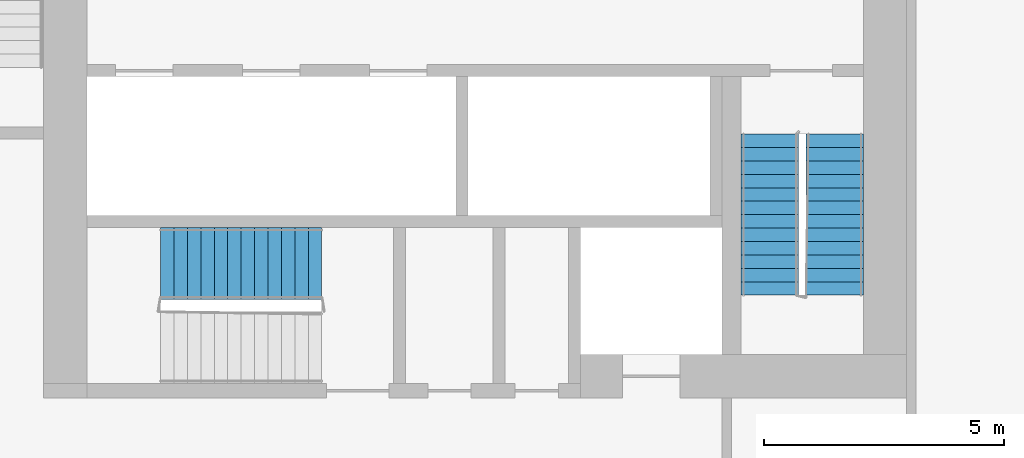
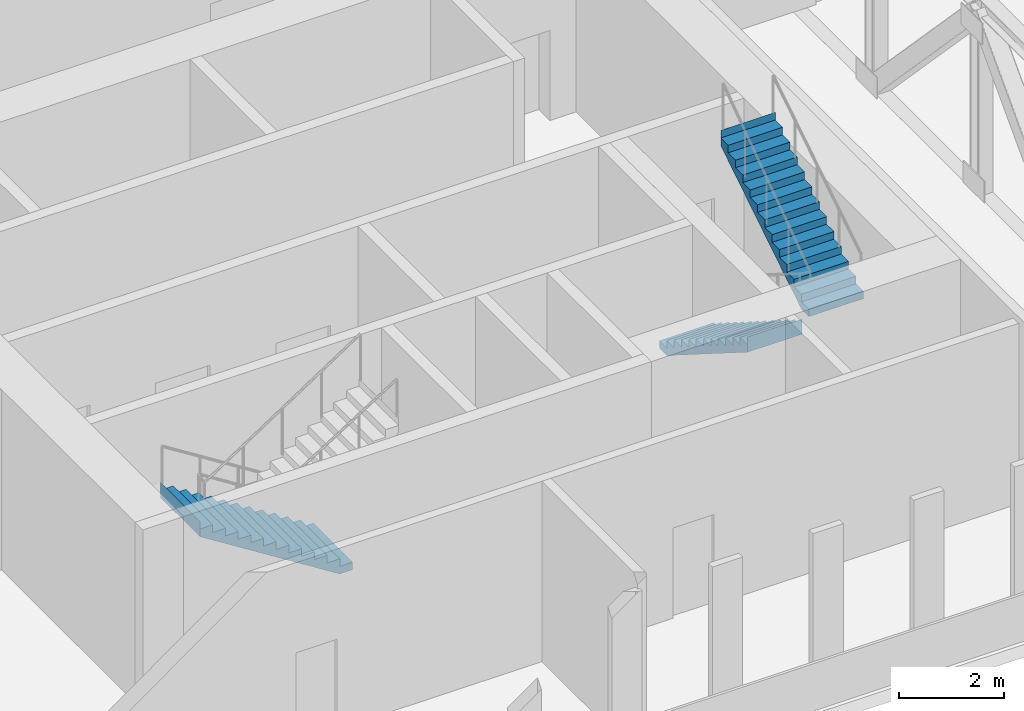
# One storey, part 18 of 22: 3 stair flights, 2 elements without a shape of their own.
"""IFC4 building model written with IfcOpenShell, lengths in metres."""

from ifc_helpers import new_model, si_unit, direction, frame, origin, place, context, subcontext, project, spatial, faceted_brep, material, type_object, element, aggregate, save


model = new_model("IFC4")

# Units and contexts
model_context = context("Model", 3, precision=1e-05, world=origin(), true_north=direction((0.0, 1.0)))
body_context = subcontext(model_context, "Body", "Model", "MODEL_VIEW")
ifc_project = project(units=[si_unit("LENGTHUNIT", "METRE"), si_unit("AREAUNIT", "SQUARE_METRE"), si_unit("VOLUMEUNIT", "CUBIC_METRE"), si_unit("PLANEANGLEUNIT", "RADIAN"), si_unit("MASSUNIT", "GRAM", prefix="KILO")], contexts=[model_context])

# Site, building, storey
site_placement = place(None, origin())
site = spatial("IfcSite", under=ifc_project, at=site_placement, CompositionType="ELEMENT")
building_placement = place(site_placement, origin())
building = spatial("IfcBuilding", under=site, at=building_placement, Name="Kajstack Hotel Tower", CompositionType="ELEMENT")
storey_placement = place(building_placement, frame((0.0, 0.0, 99.60009765625)))
storey = spatial("IfcBuildingStorey", under=building, at=storey_placement, Name="L21", CompositionType="ELEMENT", Elevation=99.60009765625)

# Stair, stair flights
ifc_material = material(Name="Concrete C40/50", Category="concrete")
stair_type_1 = type_object("IfcStairType", Name="Exit stair 1200", PredefinedType="HALF_TURN_STAIR", material=ifc_material)
stair_1_placement = place(storey_placement, origin())
stair_1 = element("IfcStair", 1, at=stair_1_placement, inside=storey, type_object=stair_type_1, Name="L21 stair W2", PredefinedType="HALF_TURN_STAIR")
stair_flight_type_1 = type_object("IfcStairFlightType", Name="Exit stair flight 1200", PredefinedType="STRAIGHT", material=ifc_material)
stair_flight_1_placement = place(storey_placement, frame((-16.35009765625, -10.0, 0.0), z_axis=(0.0, 0.0, 1.0), x_axis=(0.0, -1.0, 0.0)))
stair_flight_1 = element("IfcStairFlight", 2, at=stair_flight_1_placement, type_object=stair_flight_type_1, Name="W2 flight 1", NumberOfRisers=13, NumberOfTreads=12, PredefinedType="STRAIGHT", RiserHeight=0.176923077, TreadLength=0.28, context=body_context, shape_type="Brep", body=[
    faceted_brep([(0.281005859375, -0.60009765625, 0.0), (3.360595703125, -0.60009765625, 1.94580078125), (3.360595703125, -0.60009765625, 2.300048828125), (3.360107421875, -0.60009765625, 2.300048828125), (3.360107421875, -0.60009765625, 2.123046875), (3.080078125, -0.60009765625, 2.123046875), (3.080078125, -0.60009765625, 1.946044921875), (2.800048828125, -0.60009765625, 1.946044921875), (2.800048828125, -0.60009765625, 1.769287109375), (2.52001953125, -0.60009765625, 1.769287109375), (2.52001953125, -0.60009765625, 1.59228515625), (2.239990234375, -0.60009765625, 1.59228515625), (2.239990234375, -0.60009765625, 1.415283203125), (1.9599609375, -0.60009765625, 1.415283203125), (1.9599609375, -0.60009765625, 1.238525390625), (1.679931640625, -0.60009765625, 1.238525390625), (1.679931640625, -0.60009765625, 1.0615234375), (1.39990234375, -0.60009765625, 1.0615234375), (1.39990234375, -0.60009765625, 0.884521484375), (1.1201171875, -0.60009765625, 0.884521484375), (1.1201171875, -0.60009765625, 0.707763671875), (0.840087890625, -0.60009765625, 0.707763671875), (0.840087890625, -0.60009765625, 0.53076171875), (0.56005859375, -0.60009765625, 0.53076171875), (0.56005859375, -0.60009765625, 0.353759765625), (0.280029296875, -0.60009765625, 0.353759765625), (0.280029296875, -0.60009765625, 0.177001953125), (-0.00048828125, -0.60009765625, 0.177001953125), (-0.00048828125, -0.60009765625, 0.0), (-0.00048828125, 0.60009765625, 0.0), (-0.00048828125, 0.60009765625, 0.177001953125), (0.280029296875, 0.60009765625, 0.177001953125), (0.280029296875, 0.60009765625, 0.353759765625), (0.56005859375, 0.60009765625, 0.353759765625), (0.56005859375, 0.60009765625, 0.53076171875), (0.840087890625, 0.60009765625, 0.53076171875), (0.840087890625, 0.60009765625, 0.707763671875), (1.1201171875, 0.60009765625, 0.707763671875), (1.1201171875, 0.60009765625, 0.884521484375), (1.39990234375, 0.60009765625, 0.884521484375), (1.39990234375, 0.60009765625, 1.0615234375), (1.679931640625, 0.60009765625, 1.0615234375), (1.679931640625, 0.60009765625, 1.238525390625), (1.9599609375, 0.60009765625, 1.238525390625), (1.9599609375, 0.60009765625, 1.415283203125), (2.239990234375, 0.60009765625, 1.415283203125), (2.239990234375, 0.60009765625, 1.59228515625), (2.52001953125, 0.60009765625, 1.59228515625), (2.52001953125, 0.60009765625, 1.769287109375), (2.800048828125, 0.60009765625, 1.769287109375), (2.800048828125, 0.60009765625, 1.946044921875), (3.080078125, 0.60009765625, 1.946044921875), (3.080078125, 0.60009765625, 2.123046875), (3.360107421875, 0.60009765625, 2.123046875), (3.360107421875, 0.60009765625, 2.300048828125), (3.360595703125, 0.60009765625, 2.300048828125), (3.360595703125, 0.60009765625, 1.94580078125), (0.281005859375, 0.60009765625, 0.0), (-0.00048828125, -0.300048828125, 0.177001953125), (-0.00048828125, 0.0, 0.177001953125), (-0.00048828125, 0.300048828125, 0.177001953125), (-0.00048828125, 0.300048828125, 0.0), (-0.00048828125, 0.0, 0.0), (-0.00048828125, -0.300048828125, 0.0), (0.280029296875, -0.300048828125, 0.177001953125), (0.280029296875, 0.0, 0.177001953125), (0.280029296875, 0.300048828125, 0.177001953125), (0.280029296875, -0.300048828125, 0.353759765625), (0.280029296875, 0.0, 0.353759765625), (0.280029296875, 0.300048828125, 0.353759765625), (0.56005859375, -0.300048828125, 0.353759765625), (0.56005859375, 0.0, 0.353759765625), (0.56005859375, 0.300048828125, 0.353759765625), (0.56005859375, -0.300048828125, 0.53076171875), (0.56005859375, 0.0, 0.53076171875), (0.56005859375, 0.300048828125, 0.53076171875), (0.840087890625, -0.300048828125, 0.53076171875), (0.840087890625, 0.0, 0.53076171875), (0.840087890625, 0.300048828125, 0.53076171875), (0.840087890625, -0.300048828125, 0.707763671875), (0.840087890625, 0.0, 0.707763671875), (0.840087890625, 0.300048828125, 0.707763671875), (1.1201171875, -0.300048828125, 0.707763671875), (1.1201171875, 0.0, 0.707763671875), (1.1201171875, 0.300048828125, 0.707763671875), (1.1201171875, -0.300048828125, 0.884521484375), (1.1201171875, 0.0, 0.884521484375), (1.1201171875, 0.300048828125, 0.884521484375), (1.39990234375, -0.300048828125, 0.884521484375), (1.39990234375, 0.0, 0.884521484375), (1.39990234375, 0.300048828125, 0.884521484375), (1.39990234375, -0.300048828125, 1.0615234375), (1.39990234375, 0.0, 1.0615234375), (1.39990234375, 0.300048828125, 1.0615234375), (1.679931640625, -0.300048828125, 1.0615234375), (1.679931640625, 0.0, 1.0615234375), (1.679931640625, 0.300048828125, 1.0615234375), (1.679931640625, -0.300048828125, 1.238525390625), (1.679931640625, 0.0, 1.238525390625), (1.679931640625, 0.300048828125, 1.238525390625), (1.9599609375, -0.300048828125, 1.238525390625), (1.9599609375, 0.0, 1.238525390625), (1.9599609375, 0.300048828125, 1.238525390625), (1.9599609375, -0.300048828125, 1.415283203125), (1.9599609375, 0.0, 1.415283203125), (1.9599609375, 0.300048828125, 1.415283203125), (2.239990234375, -0.300048828125, 1.415283203125), (2.239990234375, 0.0, 1.415283203125), (2.239990234375, 0.300048828125, 1.415283203125), (2.239990234375, -0.300048828125, 1.59228515625), (2.239990234375, 0.0, 1.59228515625), (2.239990234375, 0.300048828125, 1.59228515625), (2.52001953125, -0.300048828125, 1.59228515625), (2.52001953125, 0.0, 1.59228515625), (2.52001953125, 0.300048828125, 1.59228515625), (2.52001953125, -0.300048828125, 1.769287109375), (2.52001953125, 0.0, 1.769287109375), (2.52001953125, 0.300048828125, 1.769287109375), (2.800048828125, -0.300048828125, 1.769287109375), (2.800048828125, 0.0, 1.769287109375), (2.800048828125, 0.300048828125, 1.769287109375), (2.800048828125, -0.300048828125, 1.946044921875), (2.800048828125, 0.0, 1.946044921875), (2.800048828125, 0.300048828125, 1.946044921875), (3.080078125, -0.300048828125, 1.946044921875), (3.080078125, 0.0, 1.946044921875), (3.080078125, 0.300048828125, 1.946044921875), (3.080078125, -0.300048828125, 2.123046875), (3.080078125, 0.0, 2.123046875), (3.080078125, 0.300048828125, 2.123046875), (3.360107421875, -0.300048828125, 2.123046875), (3.360107421875, 0.0, 2.123046875), (3.360107421875, 0.300048828125, 2.123046875), (3.360107421875, -0.300048828125, 2.300048828125), (3.360107421875, 0.0, 2.300048828125), (3.360107421875, 0.300048828125, 2.300048828125), (3.360595703125, -0.300048828125, 2.300048828125), (3.360595703125, 0.0, 2.300048828125), (3.360595703125, 0.300048828125, 2.300048828125), (3.360595703125, -0.300048828125, 1.94580078125), (3.360595703125, 0.0, 1.94580078125), (3.360595703125, 0.300048828125, 1.94580078125), (0.281005859375, -0.300048828125, 0.0), (0.281005859375, 0.0, 0.0), (0.281005859375, 0.300048828125, 0.0)], [[[0, 1, 2, 3, 4, 5, 6, 7, 8, 9, 10, 11, 12, 13, 14, 15, 16, 17, 18, 19, 20, 21, 22, 23, 24, 25, 26, 27, 28]], [[29, 30, 31, 32, 33, 34, 35, 36, 37, 38, 39, 40, 41, 42, 43, 44, 45, 46, 47, 48, 49, 50, 51, 52, 53, 54, 55, 56, 57]], [[27, 58, 59, 60, 30, 29, 61, 62, 63, 28]], [[26, 64, 65, 66, 31, 30, 60, 59, 58, 27]], [[25, 67, 68, 69, 32, 31, 66, 65, 64, 26]], [[24, 70, 71, 72, 33, 32, 69, 68, 67, 25]], [[23, 73, 74, 75, 34, 33, 72, 71, 70, 24]], [[22, 76, 77, 78, 35, 34, 75, 74, 73, 23]], [[21, 79, 80, 81, 36, 35, 78, 77, 76, 22]], [[20, 82, 83, 84, 37, 36, 81, 80, 79, 21]], [[19, 85, 86, 87, 38, 37, 84, 83, 82, 20]], [[18, 88, 89, 90, 39, 38, 87, 86, 85, 19]], [[17, 91, 92, 93, 40, 39, 90, 89, 88, 18]], [[16, 94, 95, 96, 41, 40, 93, 92, 91, 17]], [[15, 97, 98, 99, 42, 41, 96, 95, 94, 16]], [[14, 100, 101, 102, 43, 42, 99, 98, 97, 15]], [[13, 103, 104, 105, 44, 43, 102, 101, 100, 14]], [[12, 106, 107, 108, 45, 44, 105, 104, 103, 13]], [[11, 109, 110, 111, 46, 45, 108, 107, 106, 12]], [[10, 112, 113, 114, 47, 46, 111, 110, 109, 11]], [[9, 115, 116, 117, 48, 47, 114, 113, 112, 10]], [[8, 118, 119, 120, 49, 48, 117, 116, 115, 9]], [[7, 121, 122, 123, 50, 49, 120, 119, 118, 8]], [[6, 124, 125, 126, 51, 50, 123, 122, 121, 7]], [[5, 127, 128, 129, 52, 51, 126, 125, 124, 6]], [[4, 130, 131, 132, 53, 52, 129, 128, 127, 5]], [[3, 133, 134, 135, 54, 53, 132, 131, 130, 4]], [[2, 136, 137, 138, 55, 54, 135, 134, 133, 3]], [[1, 139, 140, 141, 56, 55, 138, 137, 136, 2]], [[0, 142, 143, 144, 57, 56, 141, 140, 139, 1]], [[28, 63, 62, 61, 29, 57, 144, 143, 142, 0]]]),
])
stair_flight_2_placement = place(storey_placement, frame((-15.0, -13.360107421875, 2.2998046875), z_axis=(0.0, 0.0, 1.0), x_axis=(0.0, 1.0, 0.0)))
stair_flight_2 = element("IfcStairFlight", 3, at=stair_flight_2_placement, type_object=stair_flight_type_1, Name="W2 flight 2", NumberOfRisers=13, NumberOfTreads=12, PredefinedType="STRAIGHT", RiserHeight=0.176923077, TreadLength=0.28, context=body_context, shape_type="Brep", body=[
    faceted_brep([(0.281005859375, -0.60009765625, 0.0), (3.360595703125, -0.60009765625, 1.94580078125), (3.360595703125, -0.60009765625, 2.300048828125), (3.360107421875, -0.60009765625, 2.300048828125), (3.360107421875, -0.60009765625, 2.123046875), (3.080078125, -0.60009765625, 2.123046875), (3.080078125, -0.60009765625, 1.946044921875), (2.800048828125, -0.60009765625, 1.946044921875), (2.800048828125, -0.60009765625, 1.769287109375), (2.52001953125, -0.60009765625, 1.769287109375), (2.52001953125, -0.60009765625, 1.59228515625), (2.239990234375, -0.60009765625, 1.59228515625), (2.239990234375, -0.60009765625, 1.415283203125), (1.9599609375, -0.60009765625, 1.415283203125), (1.9599609375, -0.60009765625, 1.238525390625), (1.679931640625, -0.60009765625, 1.238525390625), (1.679931640625, -0.60009765625, 1.0615234375), (1.39990234375, -0.60009765625, 1.0615234375), (1.39990234375, -0.60009765625, 0.884521484375), (1.1201171875, -0.60009765625, 0.884521484375), (1.1201171875, -0.60009765625, 0.707763671875), (0.840087890625, -0.60009765625, 0.707763671875), (0.840087890625, -0.60009765625, 0.53076171875), (0.56005859375, -0.60009765625, 0.53076171875), (0.56005859375, -0.60009765625, 0.353759765625), (0.280029296875, -0.60009765625, 0.353759765625), (0.280029296875, -0.60009765625, 0.177001953125), (-0.00048828125, -0.60009765625, 0.177001953125), (-0.00048828125, -0.60009765625, 0.0), (-0.00048828125, 0.60009765625, 0.0), (-0.00048828125, 0.60009765625, 0.177001953125), (0.280029296875, 0.60009765625, 0.177001953125), (0.280029296875, 0.60009765625, 0.353759765625), (0.56005859375, 0.60009765625, 0.353759765625), (0.56005859375, 0.60009765625, 0.53076171875), (0.840087890625, 0.60009765625, 0.53076171875), (0.840087890625, 0.60009765625, 0.707763671875), (1.1201171875, 0.60009765625, 0.707763671875), (1.1201171875, 0.60009765625, 0.884521484375), (1.39990234375, 0.60009765625, 0.884521484375), (1.39990234375, 0.60009765625, 1.0615234375), (1.679931640625, 0.60009765625, 1.0615234375), (1.679931640625, 0.60009765625, 1.238525390625), (1.9599609375, 0.60009765625, 1.238525390625), (1.9599609375, 0.60009765625, 1.415283203125), (2.239990234375, 0.60009765625, 1.415283203125), (2.239990234375, 0.60009765625, 1.59228515625), (2.52001953125, 0.60009765625, 1.59228515625), (2.52001953125, 0.60009765625, 1.769287109375), (2.800048828125, 0.60009765625, 1.769287109375), (2.800048828125, 0.60009765625, 1.946044921875), (3.080078125, 0.60009765625, 1.946044921875), (3.080078125, 0.60009765625, 2.123046875), (3.360107421875, 0.60009765625, 2.123046875), (3.360107421875, 0.60009765625, 2.300048828125), (3.360595703125, 0.60009765625, 2.300048828125), (3.360595703125, 0.60009765625, 1.94580078125), (0.281005859375, 0.60009765625, 0.0), (-0.00048828125, -0.300048828125, 0.177001953125), (-0.00048828125, 0.0, 0.177001953125), (-0.00048828125, 0.300048828125, 0.177001953125), (-0.00048828125, 0.300048828125, 0.0), (-0.00048828125, 0.0, 0.0), (-0.00048828125, -0.300048828125, 0.0), (0.280029296875, -0.300048828125, 0.177001953125), (0.280029296875, 0.0, 0.177001953125), (0.280029296875, 0.300048828125, 0.177001953125), (0.280029296875, -0.300048828125, 0.353759765625), (0.280029296875, 0.0, 0.353759765625), (0.280029296875, 0.300048828125, 0.353759765625), (0.56005859375, -0.300048828125, 0.353759765625), (0.56005859375, 0.0, 0.353759765625), (0.56005859375, 0.300048828125, 0.353759765625), (0.56005859375, -0.300048828125, 0.53076171875), (0.56005859375, 0.0, 0.53076171875), (0.56005859375, 0.300048828125, 0.53076171875), (0.840087890625, -0.300048828125, 0.53076171875), (0.840087890625, 0.0, 0.53076171875), (0.840087890625, 0.300048828125, 0.53076171875), (0.840087890625, -0.300048828125, 0.707763671875), (0.840087890625, 0.0, 0.707763671875), (0.840087890625, 0.300048828125, 0.707763671875), (1.1201171875, -0.300048828125, 0.707763671875), (1.1201171875, 0.0, 0.707763671875), (1.1201171875, 0.300048828125, 0.707763671875), (1.1201171875, -0.300048828125, 0.884521484375), (1.1201171875, 0.0, 0.884521484375), (1.1201171875, 0.300048828125, 0.884521484375), (1.39990234375, -0.300048828125, 0.884521484375), (1.39990234375, 0.0, 0.884521484375), (1.39990234375, 0.300048828125, 0.884521484375), (1.39990234375, -0.300048828125, 1.0615234375), (1.39990234375, 0.0, 1.0615234375), (1.39990234375, 0.300048828125, 1.0615234375), (1.679931640625, -0.300048828125, 1.0615234375), (1.679931640625, 0.0, 1.0615234375), (1.679931640625, 0.300048828125, 1.0615234375), (1.679931640625, -0.300048828125, 1.238525390625), (1.679931640625, 0.0, 1.238525390625), (1.679931640625, 0.300048828125, 1.238525390625), (1.9599609375, -0.300048828125, 1.238525390625), (1.9599609375, 0.0, 1.238525390625), (1.9599609375, 0.300048828125, 1.238525390625), (1.9599609375, -0.300048828125, 1.415283203125), (1.9599609375, 0.0, 1.415283203125), (1.9599609375, 0.300048828125, 1.415283203125), (2.239990234375, -0.300048828125, 1.415283203125), (2.239990234375, 0.0, 1.415283203125), (2.239990234375, 0.300048828125, 1.415283203125), (2.239990234375, -0.300048828125, 1.59228515625), (2.239990234375, 0.0, 1.59228515625), (2.239990234375, 0.300048828125, 1.59228515625), (2.52001953125, -0.300048828125, 1.59228515625), (2.52001953125, 0.0, 1.59228515625), (2.52001953125, 0.300048828125, 1.59228515625), (2.52001953125, -0.300048828125, 1.769287109375), (2.52001953125, 0.0, 1.769287109375), (2.52001953125, 0.300048828125, 1.769287109375), (2.800048828125, -0.300048828125, 1.769287109375), (2.800048828125, 0.0, 1.769287109375), (2.800048828125, 0.300048828125, 1.769287109375), (2.800048828125, -0.300048828125, 1.946044921875), (2.800048828125, 0.0, 1.946044921875), (2.800048828125, 0.300048828125, 1.946044921875), (3.080078125, -0.300048828125, 1.946044921875), (3.080078125, 0.0, 1.946044921875), (3.080078125, 0.300048828125, 1.946044921875), (3.080078125, -0.300048828125, 2.123046875), (3.080078125, 0.0, 2.123046875), (3.080078125, 0.300048828125, 2.123046875), (3.360107421875, -0.300048828125, 2.123046875), (3.360107421875, 0.0, 2.123046875), (3.360107421875, 0.300048828125, 2.123046875), (3.360107421875, -0.300048828125, 2.300048828125), (3.360107421875, 0.0, 2.300048828125), (3.360107421875, 0.300048828125, 2.300048828125), (3.360595703125, -0.300048828125, 2.300048828125), (3.360595703125, 0.0, 2.300048828125), (3.360595703125, 0.300048828125, 2.300048828125), (3.360595703125, -0.300048828125, 1.94580078125), (3.360595703125, 0.0, 1.94580078125), (3.360595703125, 0.300048828125, 1.94580078125), (0.281005859375, -0.300048828125, 0.0), (0.281005859375, 0.0, 0.0), (0.281005859375, 0.300048828125, 0.0)], [[[0, 1, 2, 3, 4, 5, 6, 7, 8, 9, 10, 11, 12, 13, 14, 15, 16, 17, 18, 19, 20, 21, 22, 23, 24, 25, 26, 27, 28]], [[29, 30, 31, 32, 33, 34, 35, 36, 37, 38, 39, 40, 41, 42, 43, 44, 45, 46, 47, 48, 49, 50, 51, 52, 53, 54, 55, 56, 57]], [[27, 58, 59, 60, 30, 29, 61, 62, 63, 28]], [[26, 64, 65, 66, 31, 30, 60, 59, 58, 27]], [[25, 67, 68, 69, 32, 31, 66, 65, 64, 26]], [[24, 70, 71, 72, 33, 32, 69, 68, 67, 25]], [[23, 73, 74, 75, 34, 33, 72, 71, 70, 24]], [[22, 76, 77, 78, 35, 34, 75, 74, 73, 23]], [[21, 79, 80, 81, 36, 35, 78, 77, 76, 22]], [[20, 82, 83, 84, 37, 36, 81, 80, 79, 21]], [[19, 85, 86, 87, 38, 37, 84, 83, 82, 20]], [[18, 88, 89, 90, 39, 38, 87, 86, 85, 19]], [[17, 91, 92, 93, 40, 39, 90, 89, 88, 18]], [[16, 94, 95, 96, 41, 40, 93, 92, 91, 17]], [[15, 97, 98, 99, 42, 41, 96, 95, 94, 16]], [[14, 100, 101, 102, 43, 42, 99, 98, 97, 15]], [[13, 103, 104, 105, 44, 43, 102, 101, 100, 14]], [[12, 106, 107, 108, 45, 44, 105, 104, 103, 13]], [[11, 109, 110, 111, 46, 45, 108, 107, 106, 12]], [[10, 112, 113, 114, 47, 46, 111, 110, 109, 11]], [[9, 115, 116, 117, 48, 47, 114, 113, 112, 10]], [[8, 118, 119, 120, 49, 48, 117, 116, 115, 9]], [[7, 121, 122, 123, 50, 49, 120, 119, 118, 8]], [[6, 124, 125, 126, 51, 50, 123, 122, 121, 7]], [[5, 127, 128, 129, 52, 51, 126, 125, 124, 6]], [[4, 130, 131, 132, 53, 52, 129, 128, 127, 5]], [[3, 133, 134, 135, 54, 53, 132, 131, 130, 4]], [[2, 136, 137, 138, 55, 54, 135, 134, 133, 3]], [[1, 139, 140, 141, 56, 55, 138, 137, 136, 2]], [[0, 142, 143, 144, 57, 56, 141, 140, 139, 1]], [[28, 63, 62, 61, 29, 57, 144, 143, 142, 0]]]),
])
aggregate(stair_1, [stair_flight_1, stair_flight_2])

# Stair, stair flight
stair_type_2 = type_object("IfcStairType", Name="Exit stair 1500", PredefinedType="HALF_TURN_STAIR", material=ifc_material)
stair_2_placement = place(storey_placement, origin())
stair_2 = element("IfcStair", 4, at=stair_2_placement, inside=storey, type_object=stair_type_2, Name="L21 stair W3", PredefinedType="HALF_TURN_STAIR")
stair_flight_type_2 = type_object("IfcStairFlightType", Name="Exit stair flight 1500", PredefinedType="STRAIGHT", material=ifc_material)
stair_flight_3_placement = place(storey_placement, frame((-25.699951171875, -12.699951171875, 0.0), z_axis=(0.0, 0.0, 1.0), x_axis=(-1.0, 0.0, 0.0)))
stair_flight_3 = element("IfcStairFlight", 5, at=stair_flight_3_placement, type_object=stair_flight_type_2, Name="W3 flight 1", NumberOfRisers=13, NumberOfTreads=12, PredefinedType="STRAIGHT", RiserHeight=0.176923077, TreadLength=0.28, context=body_context, shape_type="Brep", body=[
    faceted_brep([(0.281005859375, -0.75, 0.0), (3.360595703125, -0.75, 1.94580078125), (3.360595703125, -0.75, 2.300048828125), (3.360107421875, -0.75, 2.300048828125), (3.360107421875, -0.75, 2.123046875), (3.080078125, -0.75, 2.123046875), (3.080078125, -0.75, 1.946044921875), (2.800048828125, -0.75, 1.946044921875), (2.800048828125, -0.75, 1.769287109375), (2.52001953125, -0.75, 1.769287109375), (2.52001953125, -0.75, 1.59228515625), (2.239990234375, -0.75, 1.59228515625), (2.239990234375, -0.75, 1.415283203125), (1.9599609375, -0.75, 1.415283203125), (1.9599609375, -0.75, 1.238525390625), (1.679931640625, -0.75, 1.238525390625), (1.679931640625, -0.75, 1.0615234375), (1.39990234375, -0.75, 1.0615234375), (1.39990234375, -0.75, 0.884521484375), (1.1201171875, -0.75, 0.884521484375), (1.1201171875, -0.75, 0.707763671875), (0.840087890625, -0.75, 0.707763671875), (0.840087890625, -0.75, 0.53076171875), (0.56005859375, -0.75, 0.53076171875), (0.56005859375, -0.75, 0.353759765625), (0.280029296875, -0.75, 0.353759765625), (0.280029296875, -0.75, 0.177001953125), (-0.00048828125, -0.75, 0.177001953125), (-0.00048828125, -0.75, 0.0), (-0.00048828125, 0.75, 0.0), (-0.00048828125, 0.75, 0.177001953125), (0.280029296875, 0.75, 0.177001953125), (0.280029296875, 0.75, 0.353759765625), (0.56005859375, 0.75, 0.353759765625), (0.56005859375, 0.75, 0.53076171875), (0.840087890625, 0.75, 0.53076171875), (0.840087890625, 0.75, 0.707763671875), (1.1201171875, 0.75, 0.707763671875), (1.1201171875, 0.75, 0.884521484375), (1.39990234375, 0.75, 0.884521484375), (1.39990234375, 0.75, 1.0615234375), (1.679931640625, 0.75, 1.0615234375), (1.679931640625, 0.75, 1.238525390625), (1.9599609375, 0.75, 1.238525390625), (1.9599609375, 0.75, 1.415283203125), (2.239990234375, 0.75, 1.415283203125), (2.239990234375, 0.75, 1.59228515625), (2.52001953125, 0.75, 1.59228515625), (2.52001953125, 0.75, 1.769287109375), (2.800048828125, 0.75, 1.769287109375), (2.800048828125, 0.75, 1.946044921875), (3.080078125, 0.75, 1.946044921875), (3.080078125, 0.75, 2.123046875), (3.360107421875, 0.75, 2.123046875), (3.360107421875, 0.75, 2.300048828125), (3.360595703125, 0.75, 2.300048828125), (3.360595703125, 0.75, 1.94580078125), (0.281005859375, 0.75, 0.0), (-0.00048828125, -0.375, 0.177001953125), (-0.00048828125, 0.0, 0.177001953125), (-0.00048828125, 0.375, 0.177001953125), (-0.00048828125, 0.375, 0.0), (-0.00048828125, 0.0, 0.0), (-0.00048828125, -0.375, 0.0), (0.280029296875, -0.375, 0.177001953125), (0.280029296875, 0.0, 0.177001953125), (0.280029296875, 0.375, 0.177001953125), (0.280029296875, -0.375, 0.353759765625), (0.280029296875, 0.0, 0.353759765625), (0.280029296875, 0.375, 0.353759765625), (0.56005859375, -0.375, 0.353759765625), (0.56005859375, 0.0, 0.353759765625), (0.56005859375, 0.375, 0.353759765625), (0.56005859375, -0.375, 0.53076171875), (0.56005859375, 0.0, 0.53076171875), (0.56005859375, 0.375, 0.53076171875), (0.840087890625, -0.375, 0.53076171875), (0.840087890625, 0.0, 0.53076171875), (0.840087890625, 0.375, 0.53076171875), (0.840087890625, -0.375, 0.707763671875), (0.840087890625, 0.0, 0.707763671875), (0.840087890625, 0.375, 0.707763671875), (1.1201171875, -0.375, 0.707763671875), (1.1201171875, 0.0, 0.707763671875), (1.1201171875, 0.375, 0.707763671875), (1.1201171875, -0.375, 0.884521484375), (1.1201171875, 0.0, 0.884521484375), (1.1201171875, 0.375, 0.884521484375), (1.39990234375, -0.375, 0.884521484375), (1.39990234375, 0.0, 0.884521484375), (1.39990234375, 0.375, 0.884521484375), (1.39990234375, -0.375, 1.0615234375), (1.39990234375, 0.0, 1.0615234375), (1.39990234375, 0.375, 1.0615234375), (1.679931640625, -0.375, 1.0615234375), (1.679931640625, 0.0, 1.0615234375), (1.679931640625, 0.375, 1.0615234375), (1.679931640625, -0.375, 1.238525390625), (1.679931640625, 0.0, 1.238525390625), (1.679931640625, 0.375, 1.238525390625), (1.9599609375, -0.375, 1.238525390625), (1.9599609375, 0.0, 1.238525390625), (1.9599609375, 0.375, 1.238525390625), (1.9599609375, -0.375, 1.415283203125), (1.9599609375, 0.0, 1.415283203125), (1.9599609375, 0.375, 1.415283203125), (2.239990234375, -0.375, 1.415283203125), (2.239990234375, 0.0, 1.415283203125), (2.239990234375, 0.375, 1.415283203125), (2.239990234375, -0.375, 1.59228515625), (2.239990234375, 0.0, 1.59228515625), (2.239990234375, 0.375, 1.59228515625), (2.52001953125, -0.375, 1.59228515625), (2.52001953125, 0.0, 1.59228515625), (2.52001953125, 0.375, 1.59228515625), (2.52001953125, -0.375, 1.769287109375), (2.52001953125, 0.0, 1.769287109375), (2.52001953125, 0.375, 1.769287109375), (2.800048828125, -0.375, 1.769287109375), (2.800048828125, 0.0, 1.769287109375), (2.800048828125, 0.375, 1.769287109375), (2.800048828125, -0.375, 1.946044921875), (2.800048828125, 0.0, 1.946044921875), (2.800048828125, 0.375, 1.946044921875), (3.080078125, -0.375, 1.946044921875), (3.080078125, 0.0, 1.946044921875), (3.080078125, 0.375, 1.946044921875), (3.080078125, -0.375, 2.123046875), (3.080078125, 0.0, 2.123046875), (3.080078125, 0.375, 2.123046875), (3.360107421875, -0.375, 2.123046875), (3.360107421875, 0.0, 2.123046875), (3.360107421875, 0.375, 2.123046875), (3.360107421875, -0.375, 2.300048828125), (3.360107421875, 0.0, 2.300048828125), (3.360107421875, 0.375, 2.300048828125), (3.360595703125, -0.375, 2.300048828125), (3.360595703125, 0.0, 2.300048828125), (3.360595703125, 0.375, 2.300048828125), (3.360595703125, -0.375, 1.94580078125), (3.360595703125, 0.0, 1.94580078125), (3.360595703125, 0.375, 1.94580078125), (0.281005859375, -0.375, 0.0), (0.281005859375, 0.0, 0.0), (0.281005859375, 0.375, 0.0)], [[[0, 1, 2, 3, 4, 5, 6, 7, 8, 9, 10, 11, 12, 13, 14, 15, 16, 17, 18, 19, 20, 21, 22, 23, 24, 25, 26, 27, 28]], [[29, 30, 31, 32, 33, 34, 35, 36, 37, 38, 39, 40, 41, 42, 43, 44, 45, 46, 47, 48, 49, 50, 51, 52, 53, 54, 55, 56, 57]], [[27, 58, 59, 60, 30, 29, 61, 62, 63, 28]], [[26, 64, 65, 66, 31, 30, 60, 59, 58, 27]], [[25, 67, 68, 69, 32, 31, 66, 65, 64, 26]], [[24, 70, 71, 72, 33, 32, 69, 68, 67, 25]], [[23, 73, 74, 75, 34, 33, 72, 71, 70, 24]], [[22, 76, 77, 78, 35, 34, 75, 74, 73, 23]], [[21, 79, 80, 81, 36, 35, 78, 77, 76, 22]], [[20, 82, 83, 84, 37, 36, 81, 80, 79, 21]], [[19, 85, 86, 87, 38, 37, 84, 83, 82, 20]], [[18, 88, 89, 90, 39, 38, 87, 86, 85, 19]], [[17, 91, 92, 93, 40, 39, 90, 89, 88, 18]], [[16, 94, 95, 96, 41, 40, 93, 92, 91, 17]], [[15, 97, 98, 99, 42, 41, 96, 95, 94, 16]], [[14, 100, 101, 102, 43, 42, 99, 98, 97, 15]], [[13, 103, 104, 105, 44, 43, 102, 101, 100, 14]], [[12, 106, 107, 108, 45, 44, 105, 104, 103, 13]], [[11, 109, 110, 111, 46, 45, 108, 107, 106, 12]], [[10, 112, 113, 114, 47, 46, 111, 110, 109, 11]], [[9, 115, 116, 117, 48, 47, 114, 113, 112, 10]], [[8, 118, 119, 120, 49, 48, 117, 116, 115, 9]], [[7, 121, 122, 123, 50, 49, 120, 119, 118, 8]], [[6, 124, 125, 126, 51, 50, 123, 122, 121, 7]], [[5, 127, 128, 129, 52, 51, 126, 125, 124, 6]], [[4, 130, 131, 132, 53, 52, 129, 128, 127, 5]], [[3, 133, 134, 135, 54, 53, 132, 131, 130, 4]], [[2, 136, 137, 138, 55, 54, 135, 134, 133, 3]], [[1, 139, 140, 141, 56, 55, 138, 137, 136, 2]], [[0, 142, 143, 144, 57, 56, 141, 140, 139, 1]], [[28, 63, 62, 61, 29, 57, 144, 143, 142, 0]]]),
])
aggregate(stair_2, [stair_flight_3])

save(model, "model.ifc")
